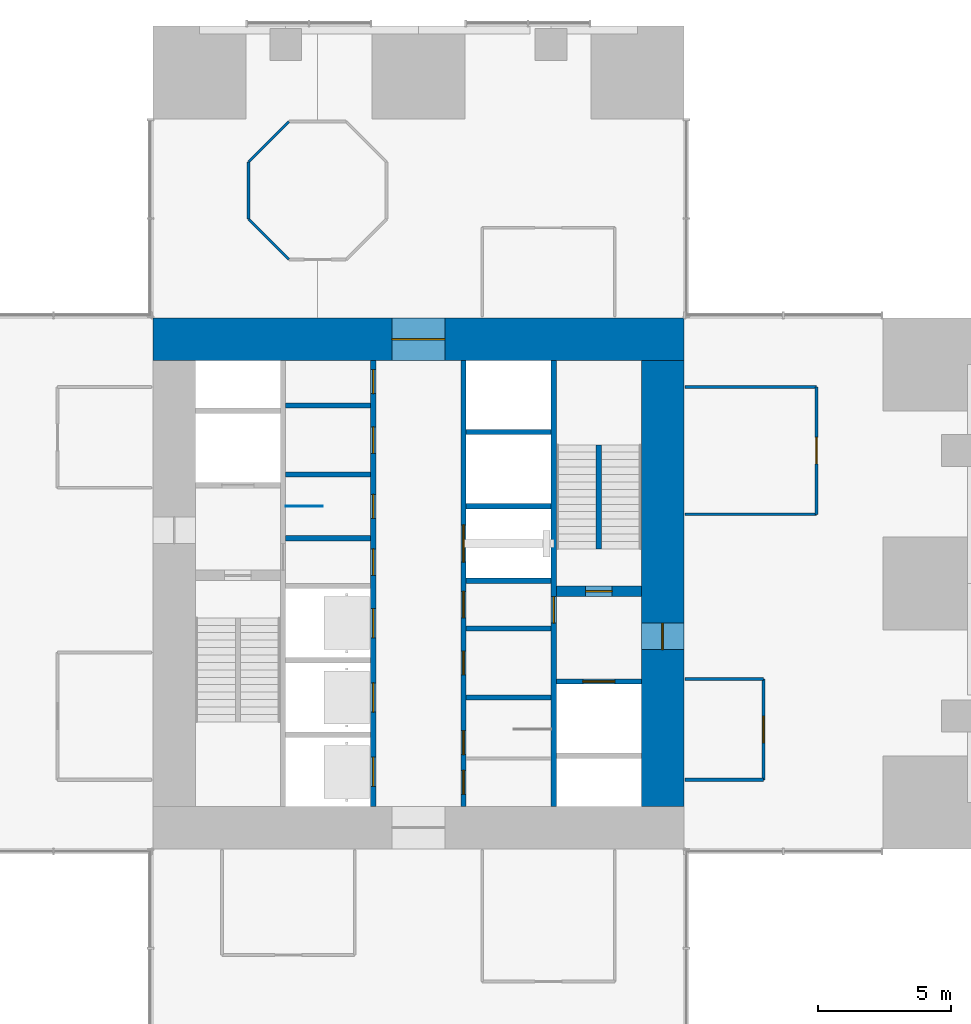
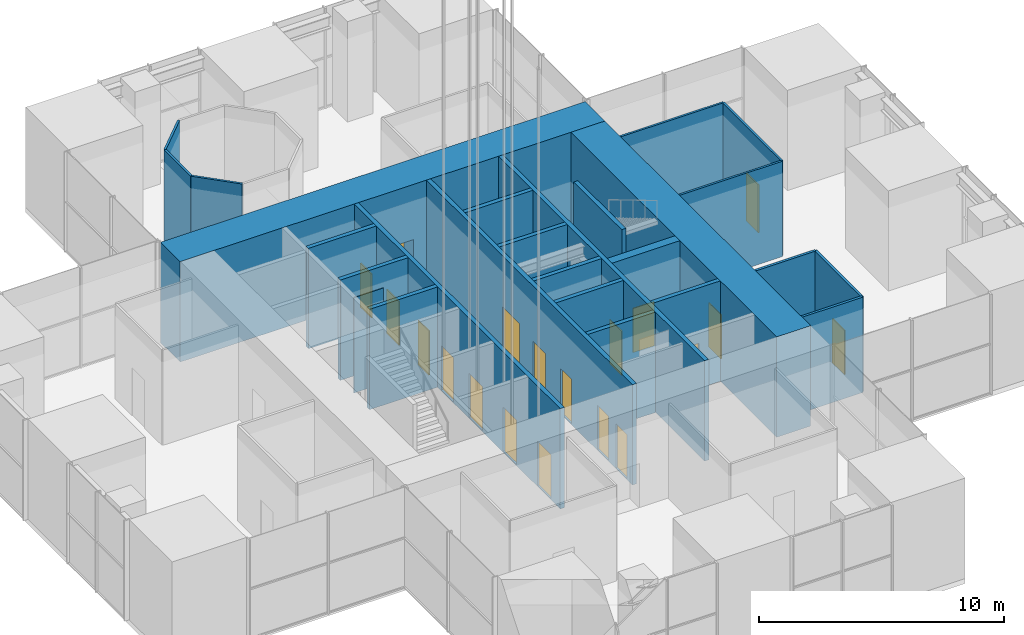
# One storey, part 6 of 16: 26 walls, 19 doors, 19 openings.
"""IFC4 building model written with IfcOpenShell, lengths in metres."""

from ifc_helpers import new_model, si_unit, direction, frame, frame_2d, origin, place, context, subcontext, project, spatial, rectangle, extrude, material, layer, layer_set, type_object, element, fill, save


model = new_model("IFC4")

# Units and contexts
model_context = context("Model", 3, precision=1e-05, world=origin(), true_north=direction((0.0, 1.0)))
body_context = subcontext(model_context, "Body", "Model", "MODEL_VIEW")
ifc_project = project(units=[si_unit("LENGTHUNIT", "METRE"), si_unit("AREAUNIT", "SQUARE_METRE"), si_unit("VOLUMEUNIT", "CUBIC_METRE"), si_unit("PLANEANGLEUNIT", "RADIAN"), si_unit("MASSUNIT", "GRAM", prefix="KILO")], contexts=[model_context])

# Site, building, storey
site_placement = place(None, origin())
site = spatial("IfcSite", under=ifc_project, at=site_placement, CompositionType="ELEMENT")
building_placement = place(site_placement, origin())
building = spatial("IfcBuilding", under=site, at=building_placement, Name="Svetlomir Tower", CompositionType="ELEMENT")
storey_placement = place(building_placement, frame((0.0, 0.0, 91.5)))
storey = spatial("IfcBuildingStorey", under=building, at=storey_placement, Name="L21", CompositionType="ELEMENT", Elevation=91.5)

# Wall, openings, doors
ifc_material_1 = material(Name="Concrete C60/75", Category="concrete")
ifc_layer_1 = layer(ifc_material_1, 0.199951171875)
ifc_layer_set_1 = layer_set([ifc_layer_1], Name="Concrete C60/75")
wall_type_1 = type_object("IfcWallType", Name="CORE INNER WALL 200", PredefinedType="SHEAR", material=ifc_layer_set_1)
wall_1_placement = place(storey_placement, frame((19.300048828125, 12.60009765625, -0.050048828125), z_axis=(0.0, 0.0, 1.0), x_axis=(0.0, 1.0, 0.0)))
wall_1 = element("IfcWall", 1, at=wall_1_placement, inside=storey, type_object=wall_type_1, Name="Core inner wall 19.3 L21", PredefinedType="SHEAR", context=body_context, shape_type="SweptSolid", body=[
    extrude(rectangle(XDim=16.7998046875, YDim=0.199951171875, at=frame_2d((8.39990234375, 0.0))), origin(), (0.0, 0.0, 1.0), 5.0),
])
opening_1_placement = place(wall_1_placement, frame((8.699951171875, 0.0, 0.050048828125)))
opening_1 = element("IfcOpeningElement", 2, at=opening_1_placement, cuts=wall_1, Name="Opening DC", PredefinedType="OPENING", context=body_context, shape_type="SweptSolid", body=[
    extrude(rectangle(XDim=1.0, YDim=2.199951171875, at=frame_2d((0.5, 1.10009765625))), frame((0.0, 0.10986328125, 0.0), z_axis=(0.0, -1.0, 0.0), x_axis=(1.0, 0.0, 0.0)), (0.0, 0.0, 1.0), 0.219970703125),
])
opening_2_placement = place(wall_1_placement, frame((10.85009765625, 0.0, 0.050048828125)))
opening_2 = element("IfcOpeningElement", 3, at=opening_2_placement, cuts=wall_1, Name="Opening DW", PredefinedType="OPENING", context=body_context, shape_type="SweptSolid", body=[
    extrude(rectangle(XDim=0.89990234375, YDim=2.199951171875, at=frame_2d((0.449951171875, 1.10009765625))), frame((0.0, 0.10986328125, 0.0), z_axis=(0.0, -1.0, 0.0), x_axis=(1.0, 0.0, 0.0)), (0.0, 0.0, 1.0), 0.219970703125),
])
opening_3_placement = place(wall_1_placement, frame((13.300048828125, 0.0, 0.050048828125)))
opening_3 = element("IfcOpeningElement", 4, at=opening_3_placement, cuts=wall_1, Name="Opening DC", PredefinedType="OPENING", context=body_context, shape_type="SweptSolid", body=[
    extrude(rectangle(XDim=1.0, YDim=2.199951171875, at=frame_2d((0.5, 1.10009765625))), frame((0.0, 0.10986328125, 0.0), z_axis=(0.0, -1.0, 0.0), x_axis=(1.0, 0.0, 0.0)), (0.0, 0.0, 1.0), 0.219970703125),
])
opening_4_placement = place(wall_1_placement, frame((15.550048828125, 0.0, 0.050048828125)))
opening_4 = element("IfcOpeningElement", 5, at=opening_4_placement, cuts=wall_1, Name="Opening DW", PredefinedType="OPENING", context=body_context, shape_type="SweptSolid", body=[
    extrude(rectangle(XDim=0.89990234375, YDim=2.199951171875, at=frame_2d((0.449951171875, 1.10009765625))), frame((0.0, 0.10986328125, 0.0), z_axis=(0.0, -1.0, 0.0), x_axis=(1.0, 0.0, 0.0)), (0.0, 0.0, 1.0), 0.219970703125),
])
opening_5_placement = place(wall_1_placement, frame((0.75, 0.0, 0.050048828125)))
opening_5 = element("IfcOpeningElement", 6, at=opening_5_placement, cuts=wall_1, Name="Opening LD", PredefinedType="OPENING", context=body_context, shape_type="SweptSolid", body=[
    extrude(rectangle(XDim=1.10009765625, YDim=2.199951171875, at=frame_2d((0.550048828125, 1.10009765625))), frame((0.0, 0.10986328125, 0.0), z_axis=(0.0, -1.0, 0.0), x_axis=(1.0, 0.0, 0.0)), (0.0, 0.0, 1.0), 0.219970703125),
])
opening_6_placement = place(wall_1_placement, frame((3.550048828125, 0.0, 0.050048828125)))
opening_6 = element("IfcOpeningElement", 7, at=opening_6_placement, cuts=wall_1, Name="Opening LD", PredefinedType="OPENING", context=body_context, shape_type="SweptSolid", body=[
    extrude(rectangle(XDim=1.10009765625, YDim=2.199951171875, at=frame_2d((0.550048828125, 1.10009765625))), frame((0.0, 0.10986328125, 0.0), z_axis=(0.0, -1.0, 0.0), x_axis=(1.0, 0.0, 0.0)), (0.0, 0.0, 1.0), 0.219970703125),
])
opening_7_placement = place(wall_1_placement, frame((6.35009765625, 0.0, 0.050048828125)))
opening_7 = element("IfcOpeningElement", 8, at=opening_7_placement, cuts=wall_1, Name="Opening LD", PredefinedType="OPENING", context=body_context, shape_type="SweptSolid", body=[
    extrude(rectangle(XDim=1.10009765625, YDim=2.199951171875, at=frame_2d((0.550048828125, 1.10009765625))), frame((0.0, 0.10986328125, 0.0), z_axis=(0.0, -1.0, 0.0), x_axis=(1.0, 0.0, 0.0)), (0.0, 0.0, 1.0), 0.219970703125),
])
ifc_material_2 = material(Name="Timber fire door", Category="wood")
door_type_1 = type_object("IfcDoorType", Name="DOOR DC 1000x2200", OperationType="SINGLE_SWING_LEFT", PredefinedType="DOOR", material=ifc_material_2)
door_1_placement = place(opening_1_placement, origin())
door_1 = element("IfcDoor", 9, at=door_1_placement, inside=storey, type_object=door_type_1, Name="Core corridor west lobby door L21", OperationType="SINGLE_SWING_RIGHT", OverallHeight=2.199951171875, OverallWidth=1.0, PredefinedType="DOOR", context=body_context, shape_type="SweptSolid", body=[
    extrude(rectangle(XDim=1.0, YDim=2.199951171875, at=frame_2d((0.5, 1.10009765625))), frame((0.0, 0.02490234375, 0.0), z_axis=(0.0, -1.0, 0.0), x_axis=(1.0, 0.0, 0.0)), (0.0, 0.0, 1.0), 0.050048828125),
])
fill(opening_1, door_1)
door_2_placement = place(opening_3_placement, origin())
door_2 = element("IfcDoor", 10, at=door_2_placement, inside=storey, type_object=door_type_1, Name="Accessible WC door L21", OperationType="SINGLE_SWING_LEFT", OverallHeight=2.199951171875, OverallWidth=1.0, PredefinedType="DOOR", context=body_context, shape_type="SweptSolid", body=[
    extrude(rectangle(XDim=1.0, YDim=2.199951171875, at=frame_2d((0.5, 1.10009765625))), frame((0.0, 0.02490234375, 0.0), z_axis=(0.0, -1.0, 0.0), x_axis=(1.0, 0.0, 0.0)), (0.0, 0.0, 1.0), 0.050048828125),
])
fill(opening_3, door_2)
ifc_material_3 = material(Name="Timber fire door", Category="wood")
door_type_2 = type_object("IfcDoorType", Name="DOOR DW 900x2200", OperationType="SINGLE_SWING_LEFT", PredefinedType="DOOR", material=ifc_material_3)
door_3_placement = place(opening_2_placement, origin())
door_3 = element("IfcDoor", 11, at=door_3_placement, inside=storey, type_object=door_type_2, Name="Female WC door L21", OperationType="SINGLE_SWING_RIGHT", OverallHeight=2.199951171875, OverallWidth=0.89990234375, PredefinedType="DOOR", context=body_context, shape_type="SweptSolid", body=[
    extrude(rectangle(XDim=0.89990234375, YDim=2.199951171875, at=frame_2d((0.449951171875, 1.10009765625))), frame((0.0, 0.02490234375, 0.0), z_axis=(0.0, -1.0, 0.0), x_axis=(1.0, 0.0, 0.0)), (0.0, 0.0, 1.0), 0.050048828125),
])
fill(opening_2, door_3)
door_4_placement = place(opening_4_placement, origin())
door_4 = element("IfcDoor", 12, at=door_4_placement, inside=storey, type_object=door_type_2, Name="Tea point door L21", OperationType="SINGLE_SWING_RIGHT", OverallHeight=2.199951171875, OverallWidth=0.89990234375, PredefinedType="DOOR", context=body_context, shape_type="SweptSolid", body=[
    extrude(rectangle(XDim=0.89990234375, YDim=2.199951171875, at=frame_2d((0.449951171875, 1.10009765625))), frame((0.0, 0.02490234375, 0.0), z_axis=(0.0, -1.0, 0.0), x_axis=(1.0, 0.0, 0.0)), (0.0, 0.0, 1.0), 0.050048828125),
])
fill(opening_4, door_4)
ifc_material_4 = material(Name="Stainless steel landing door", Category="steel")
door_type_3 = type_object("IfcDoorType", Name="LIFT LANDING DOOR LD 1100x2200", OperationType="DOUBLE_DOOR_SLIDING", PredefinedType="DOOR", material=ifc_material_4)
door_5_placement = place(opening_5_placement, origin())
door_5 = element("IfcDoor", 13, at=door_5_placement, inside=storey, type_object=door_type_3, Name="Landing door lift LB1 L21", OperationType="DOUBLE_DOOR_SLIDING", OverallHeight=2.199951171875, OverallWidth=1.10009765625, PredefinedType="DOOR", context=body_context, shape_type="SweptSolid", body=[
    extrude(rectangle(XDim=1.10009765625, YDim=2.199951171875, at=frame_2d((0.550048828125, 1.10009765625))), frame((0.0, 0.02490234375, 0.0), z_axis=(0.0, -1.0, 0.0), x_axis=(1.0, 0.0, 0.0)), (0.0, 0.0, 1.0), 0.050048828125),
])
fill(opening_5, door_5)
door_6_placement = place(opening_6_placement, origin())
door_6 = element("IfcDoor", 14, at=door_6_placement, inside=storey, type_object=door_type_3, Name="Landing door lift LB2 L21", OperationType="DOUBLE_DOOR_SLIDING", OverallHeight=2.199951171875, OverallWidth=1.10009765625, PredefinedType="DOOR", context=body_context, shape_type="SweptSolid", body=[
    extrude(rectangle(XDim=1.10009765625, YDim=2.199951171875, at=frame_2d((0.550048828125, 1.10009765625))), frame((0.0, 0.02490234375, 0.0), z_axis=(0.0, -1.0, 0.0), x_axis=(1.0, 0.0, 0.0)), (0.0, 0.0, 1.0), 0.050048828125),
])
fill(opening_6, door_6)
door_7_placement = place(opening_7_placement, origin())
door_7 = element("IfcDoor", 15, at=door_7_placement, inside=storey, type_object=door_type_3, Name="Landing door lift LB3 L21", OperationType="DOUBLE_DOOR_SLIDING", OverallHeight=2.199951171875, OverallWidth=1.10009765625, PredefinedType="DOOR", context=body_context, shape_type="SweptSolid", body=[
    extrude(rectangle(XDim=1.10009765625, YDim=2.199951171875, at=frame_2d((0.550048828125, 1.10009765625))), frame((0.0, 0.02490234375, 0.0), z_axis=(0.0, -1.0, 0.0), x_axis=(1.0, 0.0, 0.0)), (0.0, 0.0, 1.0), 0.050048828125),
])
fill(opening_7, door_7)

wall_2_placement = place(storey_placement, frame((22.699951171875, 12.60009765625, -0.050048828125), z_axis=(0.0, 0.0, 1.0), x_axis=(0.0, 1.0, 0.0)))
wall_2 = element("IfcWall", 16, at=wall_2_placement, inside=storey, type_object=wall_type_1, Name="Core inner wall 22.7 L21", PredefinedType="SHEAR", context=body_context, shape_type="SweptSolid", body=[
    extrude(rectangle(XDim=16.7998046875, YDim=0.199951171875, at=frame_2d((8.39990234375, 0.0))), origin(), (0.0, 0.0, 1.0), 5.0),
])
opening_8_placement = place(wall_2_placement, frame((0.449951171875, 0.0, 0.050048828125)))
opening_8 = element("IfcOpeningElement", 17, at=opening_8_placement, cuts=wall_2, Name="Opening DW", PredefinedType="OPENING", context=body_context, shape_type="SweptSolid", body=[
    extrude(rectangle(XDim=0.89990234375, YDim=2.199951171875, at=frame_2d((0.449951171875, 1.10009765625))), frame((0.0, 0.10986328125, 0.0), z_axis=(0.0, -1.0, 0.0), x_axis=(1.0, 0.0, 0.0)), (0.0, 0.0, 1.0), 0.219970703125),
])
opening_9_placement = place(wall_2_placement, frame((7.10009765625, 0.0, 0.050048828125)))
opening_9 = element("IfcOpeningElement", 18, at=opening_9_placement, cuts=wall_2, Name="Opening DC", PredefinedType="OPENING", context=body_context, shape_type="SweptSolid", body=[
    extrude(rectangle(XDim=1.0, YDim=2.199951171875, at=frame_2d((0.5, 1.10009765625))), frame((0.0, 0.10986328125, 0.0), z_axis=(0.0, -1.0, 0.0), x_axis=(1.0, 0.0, 0.0)), (0.0, 0.0, 1.0), 0.219970703125),
])
opening_10_placement = place(wall_2_placement, frame((1.949951171875, 0.0, 0.050048828125)))
opening_10 = element("IfcOpeningElement", 19, at=opening_10_placement, cuts=wall_2, Name="Opening DW", PredefinedType="OPENING", context=body_context, shape_type="SweptSolid", body=[
    extrude(rectangle(XDim=0.89990234375, YDim=2.199951171875, at=frame_2d((0.449951171875, 1.10009765625))), frame((0.0, 0.10986328125, 0.0), z_axis=(0.0, -1.0, 0.0), x_axis=(1.0, 0.0, 0.0)), (0.0, 0.0, 1.0), 0.219970703125),
])
opening_11_placement = place(wall_2_placement, frame((4.949951171875, 0.0, 0.050048828125)))
opening_11 = element("IfcOpeningElement", 20, at=opening_11_placement, cuts=wall_2, Name="Opening DW", PredefinedType="OPENING", context=body_context, shape_type="SweptSolid", body=[
    extrude(rectangle(XDim=0.89990234375, YDim=2.199951171875, at=frame_2d((0.449951171875, 1.10009765625))), frame((0.0, 0.10986328125, 0.0), z_axis=(0.0, -1.0, 0.0), x_axis=(1.0, 0.0, 0.0)), (0.0, 0.0, 1.0), 0.219970703125),
])
opening_12_placement = place(wall_2_placement, frame((9.199951171875, 0.0, 0.050048828125)))
opening_12 = element("IfcOpeningElement", 21, at=opening_12_placement, cuts=wall_2, Name="Opening LD2", PredefinedType="OPENING", context=body_context, shape_type="SweptSolid", body=[
    extrude(rectangle(XDim=1.39990234375, YDim=2.39990234375, at=frame_2d((0.699951171875, 1.199951171875))), frame((0.0, 0.10986328125, 0.0), z_axis=(0.0, -1.0, 0.0), x_axis=(1.0, 0.0, 0.0)), (0.0, 0.0, 1.0), 0.219970703125),
])
door_8_placement = place(opening_9_placement, origin())
door_8 = element("IfcDoor", 22, at=door_8_placement, inside=storey, type_object=door_type_1, Name="Core corridor east lobby door L21", OperationType="SINGLE_SWING_LEFT", OverallHeight=2.199951171875, OverallWidth=1.0, PredefinedType="DOOR", context=body_context, shape_type="SweptSolid", body=[
    extrude(rectangle(XDim=1.0, YDim=2.199951171875, at=frame_2d((0.5, 1.10009765625))), frame((0.0, 0.02490234375, 0.0), z_axis=(0.0, -1.0, 0.0), x_axis=(1.0, 0.0, 0.0)), (0.0, 0.0, 1.0), 0.050048828125),
])
fill(opening_9, door_8)
door_9_placement = place(opening_8_placement, origin())
door_9 = element("IfcDoor", 23, at=door_9_placement, inside=storey, type_object=door_type_2, Name="Floor store door L21", OperationType="SINGLE_SWING_LEFT", OverallHeight=2.199951171875, OverallWidth=0.89990234375, PredefinedType="DOOR", context=body_context, shape_type="SweptSolid", body=[
    extrude(rectangle(XDim=0.89990234375, YDim=2.199951171875, at=frame_2d((0.449951171875, 1.10009765625))), frame((0.0, 0.02490234375, 0.0), z_axis=(0.0, -1.0, 0.0), x_axis=(1.0, 0.0, 0.0)), (0.0, 0.0, 1.0), 0.050048828125),
])
fill(opening_8, door_9)
door_10_placement = place(opening_10_placement, origin())
door_10 = element("IfcDoor", 24, at=door_10_placement, inside=storey, type_object=door_type_2, Name="Male WC door L21", OperationType="SINGLE_SWING_LEFT", OverallHeight=2.199951171875, OverallWidth=0.89990234375, PredefinedType="DOOR", context=body_context, shape_type="SweptSolid", body=[
    extrude(rectangle(XDim=0.89990234375, YDim=2.199951171875, at=frame_2d((0.449951171875, 1.10009765625))), frame((0.0, 0.02490234375, 0.0), z_axis=(0.0, -1.0, 0.0), x_axis=(1.0, 0.0, 0.0)), (0.0, 0.0, 1.0), 0.050048828125),
])
fill(opening_10, door_10)
door_11_placement = place(opening_11_placement, origin())
door_11 = element("IfcDoor", 25, at=door_11_placement, inside=storey, type_object=door_type_2, Name="Comms room door L21", OperationType="SINGLE_SWING_RIGHT", OverallHeight=2.199951171875, OverallWidth=0.89990234375, PredefinedType="DOOR", context=body_context, shape_type="SweptSolid", body=[
    extrude(rectangle(XDim=0.89990234375, YDim=2.199951171875, at=frame_2d((0.449951171875, 1.10009765625))), frame((0.0, 0.02490234375, 0.0), z_axis=(0.0, -1.0, 0.0), x_axis=(1.0, 0.0, 0.0)), (0.0, 0.0, 1.0), 0.050048828125),
])
fill(opening_11, door_11)
ifc_material_5 = material(Name="Stainless steel landing door", Category="steel")
door_type_4 = type_object("IfcDoorType", Name="LIFT LANDING DOOR LD2 1400x2400", OperationType="DOUBLE_DOOR_SLIDING", PredefinedType="DOOR", material=ifc_material_5)
door_12_placement = place(opening_12_placement, origin())
door_12 = element("IfcDoor", 26, at=door_12_placement, inside=storey, type_object=door_type_4, Name="Landing door lift SH1 L21", OperationType="DOUBLE_DOOR_SLIDING", OverallHeight=2.39990234375, OverallWidth=1.39990234375, PredefinedType="DOOR", context=body_context, shape_type="SweptSolid", body=[
    extrude(rectangle(XDim=1.39990234375, YDim=2.39990234375, at=frame_2d((0.699951171875, 1.199951171875))), frame((0.0, 0.02490234375, 0.0), z_axis=(0.0, -1.0, 0.0), x_axis=(1.0, 0.0, 0.0)), (0.0, 0.0, 1.0), 0.050048828125),
])
fill(opening_12, door_12)

# Wall, opening, door
wall_3_placement = place(storey_placement, frame((26.10009765625, 12.60009765625, -0.050048828125), z_axis=(0.0, 0.0, 1.0), x_axis=(0.0, 1.0, 0.0)))
wall_3 = element("IfcWall", 27, at=wall_3_placement, inside=storey, type_object=wall_type_1, Name="Core inner wall 26.1 L21", PredefinedType="SHEAR", context=body_context, shape_type="SweptSolid", body=[
    extrude(rectangle(XDim=16.7998046875, YDim=0.199951171875, at=frame_2d((8.39990234375, 0.0))), origin(), (0.0, 0.0, 1.0), 5.0),
])
opening_13_placement = place(wall_3_placement, frame((6.89990234375, 0.0, 0.050048828125)))
opening_13 = element("IfcOpeningElement", 28, at=opening_13_placement, cuts=wall_3, Name="Opening DF", PredefinedType="OPENING", context=body_context, shape_type="SweptSolid", body=[
    extrude(rectangle(XDim=1.0, YDim=2.199951171875, at=frame_2d((0.5, 1.10009765625))), frame((0.0, 0.10986328125, 0.0), z_axis=(0.0, -1.0, 0.0), x_axis=(1.0, 0.0, 0.0)), (0.0, 0.0, 1.0), 0.219970703125),
])
ifc_material_6 = material(Name="Steel fire door", Category="steel")
door_type_5 = type_object("IfcDoorType", Name="DOOR DF 1000x2200", OperationType="SINGLE_SWING_LEFT", PredefinedType="DOOR", material=ifc_material_6)
door_13_placement = place(opening_13_placement, origin())
door_13 = element("IfcDoor", 29, at=door_13_placement, inside=storey, type_object=door_type_5, Name="Core corridor east door L21", OperationType="SINGLE_SWING_LEFT", OverallHeight=2.199951171875, OverallWidth=1.0, PredefinedType="DOOR", context=body_context, shape_type="SweptSolid", body=[
    extrude(rectangle(XDim=1.0, YDim=2.199951171875, at=frame_2d((0.5, 1.10009765625))), frame((0.0, 0.02490234375, 0.0), z_axis=(0.0, -1.0, 0.0), x_axis=(1.0, 0.0, 0.0)), (0.0, 0.0, 1.0), 0.050048828125),
])
fill(opening_13, door_13)

# Walls
for number, where, z_axis, x_axis, name in (
    (30, (16.0, 22.699951171875, -0.050048828125), (0.0, 0.0, 1.0), (1.0, 0.0, 0.0), "Core inner wall 16-19.2/22.7 L21"),
    (31, (16.0, 25.10009765625, -0.050048828125), (0.0, 0.0, 1.0), (1.0, 0.0, 0.0), "Core inner wall 16-19.2/25.1 L21"),
    (32, (16.0, 27.699951171875, -0.050048828125), (0.0, 0.0, 1.0), (1.0, 0.0, 0.0), "Core inner wall 16-19.2/27.7 L21"),
    (33, (22.800048828125, 16.699951171875, -0.050048828125), (0.0, 0.0, 1.0), (1.0, 0.0, 0.0), "Core inner wall 22.8-26/16.7 L21"),
    (34, (22.800048828125, 19.300048828125, -0.050048828125), (0.0, 0.0, 1.0), (1.0, 0.0, 0.0), "Core inner wall 22.8-26/19.3 L21"),
    (35, (22.800048828125, 21.10009765625, -0.050048828125), (0.0, 0.0, 1.0), (1.0, 0.0, 0.0), "Core inner wall 22.8-26/21.1 L21"),
    (36, (22.800048828125, 23.89990234375, -0.050048828125), (0.0, 0.0, 1.0), (1.0, 0.0, 0.0), "Core inner wall 22.8-26/23.9 L21"),
    (37, (22.800048828125, 26.699951171875, -0.050048828125), (0.0, 0.0, 1.0), (1.0, 0.0, 0.0), "Core inner wall 22.8-26/26.7 L21"),
):
    element("IfcWall", number, at=place(storey_placement, frame(where, z_axis=z_axis, x_axis=x_axis)), inside=storey, type_object=wall_type_1, Name=name, PredefinedType="SHEAR", context=body_context, shape_type="SweptSolid", body=[
        extrude(rectangle(XDim=3.199951171875, YDim=0.199951171875, at=frame_2d((1.60009765625, 0.0))), origin(), (0.0, 0.0, 1.0), 5.0),
    ])

# Wall, opening, door
wall_4_placement = place(storey_placement, frame((26.199951171875, 17.300048828125, -0.050048828125), z_axis=(0.0, 0.0, 1.0), x_axis=(1.0, 0.0, 0.0)))
wall_4 = element("IfcWall", 38, at=wall_4_placement, inside=storey, type_object=wall_type_1, Name="Core inner wall 26.2-29.4/17.3 L21", PredefinedType="SHEAR", context=body_context, shape_type="SweptSolid", body=[
    extrude(rectangle(XDim=3.199951171875, YDim=0.199951171875, at=frame_2d((1.60009765625, 0.0))), origin(), (0.0, 0.0, 1.0), 5.0),
])
opening_14_placement = place(wall_4_placement, frame((1.0, 0.0, 0.050048828125)))
opening_14 = element("IfcOpeningElement", 39, at=opening_14_placement, cuts=wall_4, Name="Opening LD3", PredefinedType="OPENING", context=body_context, shape_type="SweptSolid", body=[
    extrude(rectangle(XDim=1.199951171875, YDim=2.199951171875, at=frame_2d((0.60009765625, 1.10009765625))), frame((0.0, 0.10986328125, 0.0), z_axis=(0.0, -1.0, 0.0), x_axis=(1.0, 0.0, 0.0)), (0.0, 0.0, 1.0), 0.219970703125),
])
ifc_material_7 = material(Name="Stainless steel fire-rated landing door", Category="steel")
door_type_6 = type_object("IfcDoorType", Name="FIREFIGHTING LIFT LANDING DOOR LD3 1200x2200", OperationType="DOUBLE_DOOR_SLIDING", PredefinedType="DOOR", material=ifc_material_7)
door_14_placement = place(opening_14_placement, origin())
door_14 = element("IfcDoor", 40, at=door_14_placement, inside=storey, type_object=door_type_6, Name="Landing door lift FL2 L21", OperationType="DOUBLE_DOOR_SLIDING", OverallHeight=2.199951171875, OverallWidth=1.199951171875, PredefinedType="DOOR", context=body_context, shape_type="SweptSolid", body=[
    extrude(rectangle(XDim=1.199951171875, YDim=2.199951171875, at=frame_2d((0.60009765625, 1.10009765625))), frame((0.0, 0.02490234375, 0.0), z_axis=(0.0, -1.0, 0.0), x_axis=(1.0, 0.0, 0.0)), (0.0, 0.0, 1.0), 0.050048828125),
])
fill(opening_14, door_14)

ifc_material_8 = material(Name="Concrete C60/75", Category="concrete")
ifc_layer_2 = layer(ifc_material_8, 0.39990234375)
ifc_layer_set_2 = layer_set([ifc_layer_2], Name="Concrete C60/75")
wall_type_2 = type_object("IfcWallType", Name="CORE OUTRIGGER WALL 400", PredefinedType="SHEAR", material=ifc_layer_set_2)
wall_5_placement = place(storey_placement, frame((26.199951171875, 20.699951171875, -0.050048828125), z_axis=(0.0, 0.0, 1.0), x_axis=(1.0, 0.0, 0.0)))
wall_5 = element("IfcWall", 41, at=wall_5_placement, inside=storey, type_object=wall_type_2, Name="Core outrigger wall 26.2-29.4/20.7 L21", PredefinedType="SHEAR", context=body_context, shape_type="SweptSolid", body=[
    extrude(rectangle(XDim=3.199951171875, YDim=0.39990234375, at=frame_2d((1.60009765625, 0.0))), origin(), (0.0, 0.0, 1.0), 5.0),
])
opening_15_placement = place(wall_5_placement, frame((1.10009765625, 0.0, 0.050048828125)))
opening_15 = element("IfcOpeningElement", 42, at=opening_15_placement, cuts=wall_5, Name="Opening DF", PredefinedType="OPENING", context=body_context, shape_type="SweptSolid", body=[
    extrude(rectangle(XDim=1.0, YDim=2.199951171875, at=frame_2d((0.5, 1.10009765625))), frame((0.0, 0.2099609375, 0.0), z_axis=(0.0, -1.0, 0.0), x_axis=(1.0, 0.0, 0.0)), (0.0, 0.0, 1.0), 0.419921875),
])
door_15_placement = place(opening_15_placement, origin())
door_15 = element("IfcDoor", 43, at=door_15_placement, inside=storey, type_object=door_type_5, Name="Stair S2 door L21", OperationType="SINGLE_SWING_LEFT", OverallHeight=2.199951171875, OverallWidth=1.0, PredefinedType="DOOR", context=body_context, shape_type="SweptSolid", body=[
    extrude(rectangle(XDim=1.0, YDim=2.199951171875, at=frame_2d((0.5, 1.10009765625))), frame((0.0, 0.02490234375, 0.0), z_axis=(0.0, -1.0, 0.0), x_axis=(1.0, 0.0, 0.0)), (0.0, 0.0, 1.0), 0.050048828125),
])
fill(opening_15, door_15)

ifc_material_9 = material(Name="Concrete C60/75", Category="concrete")
ifc_layer_3 = layer(ifc_material_9, 1.60009765625)
ifc_layer_set_3 = layer_set([ifc_layer_3], Name="Concrete C60/75")
wall_type_3 = type_object("IfcWallType", Name="CORE WALL 1600", PredefinedType="SHEAR", material=ifc_layer_set_3)
wall_6_placement = place(storey_placement, frame((11.0, 30.199951171875, -0.050048828125), z_axis=(0.0, 0.0, 1.0), x_axis=(1.0, 0.0, 0.0)))
wall_6 = element("IfcWall", 44, at=wall_6_placement, inside=storey, type_object=wall_type_3, Name="Core wall north L21", PredefinedType="SHEAR", context=body_context, shape_type="SweptSolid", body=[
    extrude(rectangle(XDim=20.0, YDim=1.60009765625, at=frame_2d((10.0, 0.0))), origin(), (0.0, 0.0, 1.0), 5.0),
])
opening_16_placement = place(wall_6_placement, frame((9.0, 0.0, 0.050048828125)))
opening_16 = element("IfcOpeningElement", 45, at=opening_16_placement, cuts=wall_6, Name="Opening DL", PredefinedType="OPENING", context=body_context, shape_type="SweptSolid", body=[
    extrude(rectangle(XDim=2.0, YDim=2.199951171875, at=frame_2d((1.0, 1.10009765625))), frame((0.0, 0.81005859375, 0.0), z_axis=(0.0, -1.0, 0.0), x_axis=(1.0, 0.0, 0.0)), (0.0, 0.0, 1.0), 1.6201171875),
])
ifc_material_10 = material(Name="Steel fire door", Category="steel")
door_type_7 = type_object("IfcDoorType", Name="DOOR DL 2000x2200", OperationType="DOUBLE_DOOR_SINGLE_SWING", PredefinedType="DOOR", material=ifc_material_10)
door_16_placement = place(opening_16_placement, origin())
door_16 = element("IfcDoor", 46, at=door_16_placement, inside=storey, type_object=door_type_7, Name="Lift lobby north door L21", OperationType="DOUBLE_DOOR_SINGLE_SWING", OverallHeight=2.199951171875, OverallWidth=2.0, PredefinedType="DOOR", context=body_context, shape_type="SweptSolid", body=[
    extrude(rectangle(XDim=2.0, YDim=2.199951171875, at=frame_2d((1.0, 1.10009765625))), frame((0.0, 0.02490234375, 0.0), z_axis=(0.0, -1.0, 0.0), x_axis=(1.0, 0.0, 0.0)), (0.0, 0.0, 1.0), 0.050048828125),
])
fill(opening_16, door_16)

wall_7_placement = place(storey_placement, frame((30.199951171875, 12.60009765625, -0.050048828125), z_axis=(0.0, 0.0, 1.0), x_axis=(0.0, 1.0, 0.0)))
wall_7 = element("IfcWall", 47, at=wall_7_placement, inside=storey, type_object=wall_type_3, Name="Core wall east L21", PredefinedType="SHEAR", context=body_context, shape_type="SweptSolid", body=[
    extrude(rectangle(XDim=16.7998046875, YDim=1.60009765625, at=frame_2d((8.39990234375, 0.0))), origin(), (0.0, 0.0, 1.0), 5.0),
])
opening_17_placement = place(wall_7_placement, frame((5.89990234375, 0.0, 0.050048828125)))
opening_17 = element("IfcOpeningElement", 48, at=opening_17_placement, cuts=wall_7, Name="Opening DF", PredefinedType="OPENING", context=body_context, shape_type="SweptSolid", body=[
    extrude(rectangle(XDim=1.0, YDim=2.199951171875, at=frame_2d((0.5, 1.10009765625))), frame((0.0, 0.81005859375, 0.0), z_axis=(0.0, -1.0, 0.0), x_axis=(1.0, 0.0, 0.0)), (0.0, 0.0, 1.0), 1.6201171875),
])
door_17_placement = place(opening_17_placement, origin())
door_17 = element("IfcDoor", 49, at=door_17_placement, inside=storey, type_object=door_type_5, Name="Firefighting lobby east door L21", OperationType="SINGLE_SWING_RIGHT", OverallHeight=2.199951171875, OverallWidth=1.0, PredefinedType="DOOR", context=body_context, shape_type="SweptSolid", body=[
    extrude(rectangle(XDim=1.0, YDim=2.199951171875, at=frame_2d((0.5, 1.10009765625))), frame((0.0, 0.02490234375, 0.0), z_axis=(0.0, -1.0, 0.0), x_axis=(1.0, 0.0, 0.0)), (0.0, 0.0, 1.0), 0.050048828125),
])
fill(opening_17, door_17)

# Walls
ifc_material_11 = material(Name="Framed laminated glass partition", Category="glass")
ifc_layer_4 = layer(ifc_material_11, 0.10009765625)
ifc_layer_set_4 = layer_set([ifc_layer_4], Name="Framed laminated glass partition")
wall_type_4 = type_object("IfcWallType", Name="GLAZED PARTITION 100", PredefinedType="PARTITIONING", material=ifc_layer_set_4)
wall_8_placement = place(storey_placement, frame((14.60009765625, 34.722900390625, 0.0), z_axis=(0.0, 0.0, 1.0), x_axis=(0.0, 1.0, 0.0)))
element("IfcWall", 50, at=wall_8_placement, inside=storey, type_object=wall_type_4, Name="Glazed partition L21", PredefinedType="PARTITIONING", context=body_context, shape_type="SweptSolid", body=[
    extrude(rectangle(XDim=2.154052734375, YDim=0.10009765625, at=frame_2d((1.0771484375, 0.0))), origin(), (0.0, 0.0, 1.0), 4.75),
])
for number, where, z_axis, x_axis, name in (
    (51, (14.60009765625, 34.722900390625, 0.0), (0.0, 0.0, 1.0), (0.707106781187, -0.707106781187, 0.0), "Glazed partition L21"),
    (52, (14.60009765625, 36.876953125, 0.0), (0.0, 0.0, 1.0), (0.707106781187, 0.707106781187, 0.0), "Glazed partition L21"),
):
    element("IfcWall", number, at=place(storey_placement, frame(where, z_axis=z_axis, x_axis=x_axis)), inside=storey, type_object=wall_type_4, Name=name, PredefinedType="PARTITIONING", context=body_context, shape_type="SweptSolid", body=[
        extrude(rectangle(XDim=2.15380859375, YDim=0.10009765625, at=frame_2d((1.076904296875, 0.0))), origin(), (0.0, 0.0, 1.0), 4.75),
    ])
for number, where, z_axis, x_axis, name in (
    (53, (31.050048828125, 23.60009765625, 0.0), (0.0, 0.0, 1.0), (1.0, 0.0, 0.0), "Glazed partition L21"),
    (54, (31.050048828125, 28.39990234375, 0.0), (0.0, 0.0, 1.0), (1.0, 0.0, 0.0), "Glazed partition L21"),
):
    element("IfcWall", number, at=place(storey_placement, frame(where, z_axis=z_axis, x_axis=x_axis)), inside=storey, type_object=wall_type_4, Name=name, PredefinedType="PARTITIONING", context=body_context, shape_type="SweptSolid", body=[
        extrude(rectangle(XDim=4.949951171875, YDim=0.10009765625, at=frame_2d((2.47509765625, 0.0))), origin(), (0.0, 0.0, 1.0), 4.75),
    ])

# Wall, opening, door
wall_9_placement = place(storey_placement, frame((36.0, 23.60009765625, 0.0), z_axis=(0.0, 0.0, 1.0), x_axis=(0.0, 1.0, 0.0)))
wall_9 = element("IfcWall", 55, at=wall_9_placement, inside=storey, type_object=wall_type_4, Name="Glazed partition L21", PredefinedType="PARTITIONING", context=body_context, shape_type="SweptSolid", body=[
    extrude(rectangle(XDim=4.7998046875, YDim=0.10009765625, at=frame_2d((2.39990234375, 0.0))), origin(), (0.0, 0.0, 1.0), 4.75),
])
opening_18_placement = place(wall_9_placement, frame((1.89990234375, 0.0, 0.0)))
opening_18 = element("IfcOpeningElement", 56, at=opening_18_placement, cuts=wall_9, Name="Opening DG", PredefinedType="OPENING", context=body_context, shape_type="SweptSolid", body=[
    extrude(rectangle(XDim=1.0, YDim=2.39990234375, at=frame_2d((0.5, 1.199951171875))), frame((0.0, 0.06005859375, 0.0), z_axis=(0.0, -1.0, 0.0), x_axis=(1.0, 0.0, 0.0)), (0.0, 0.0, 1.0), 0.1201171875),
])
ifc_material_12 = material(Name="Framed laminated glass door", Category="glass")
door_type_8 = type_object("IfcDoorType", Name="GLAZED DOOR DG 1000x2400", OperationType="SINGLE_SWING_LEFT", PredefinedType="DOOR", material=ifc_material_12)
door_18_placement = place(opening_18_placement, origin())
door_18 = element("IfcDoor", 57, at=door_18_placement, inside=storey, type_object=door_type_8, Name="Sky cafe servery door L21", OperationType="SINGLE_SWING_RIGHT", OverallHeight=2.39990234375, OverallWidth=1.0, PredefinedType="DOOR", context=body_context, shape_type="SweptSolid", body=[
    extrude(rectangle(XDim=1.0, YDim=2.39990234375, at=frame_2d((0.5, 1.199951171875))), frame((0.0, 0.02490234375, 0.0), z_axis=(0.0, -1.0, 0.0), x_axis=(1.0, 0.0, 0.0)), (0.0, 0.0, 1.0), 0.050048828125),
])
fill(opening_18, door_18)

# Walls
ifc_material_13 = material(Name="Gypsum board on steel studs", Category="steel")
ifc_layer_5 = layer(ifc_material_13, 0.1201171875)
ifc_layer_set_5 = layer_set([ifc_layer_5], Name="Gypsum board on steel studs")
wall_type_5 = type_object("IfcWallType", Name="PARTITION 120", PredefinedType="PARTITIONING", material=ifc_layer_set_5)
for number, where, z_axis, x_axis, name in (
    (58, (31.050048828125, 13.60009765625, 0.0), (0.0, 0.0, 1.0), (1.0, 0.0, 0.0), "Partition L21"),
    (59, (31.050048828125, 17.39990234375, 0.0), (0.0, 0.0, 1.0), (1.0, 0.0, 0.0), "Partition L21"),
):
    element("IfcWall", number, at=place(storey_placement, frame(where, z_axis=z_axis, x_axis=x_axis)), inside=storey, type_object=wall_type_5, Name=name, PredefinedType="PARTITIONING", context=body_context, shape_type="SweptSolid", body=[
        extrude(rectangle(XDim=2.949951171875, YDim=0.1201171875, at=frame_2d((1.47509765625, 0.0))), origin(), (0.0, 0.0, 1.0), 4.75),
    ])

# Wall, opening, door
wall_10_placement = place(storey_placement, frame((34.0, 13.60009765625, 0.0), z_axis=(0.0, 0.0, 1.0), x_axis=(0.0, 1.0, 0.0)))
wall_10 = element("IfcWall", 60, at=wall_10_placement, inside=storey, type_object=wall_type_5, Name="Partition L21", PredefinedType="PARTITIONING", context=body_context, shape_type="SweptSolid", body=[
    extrude(rectangle(XDim=3.7998046875, YDim=0.1201171875, at=frame_2d((1.89990234375, 0.0))), origin(), (0.0, 0.0, 1.0), 4.75),
])
opening_19_placement = place(wall_10_placement, frame((1.39990234375, 0.0, 0.0)))
opening_19 = element("IfcOpeningElement", 61, at=opening_19_placement, cuts=wall_10, Name="Opening DR", PredefinedType="OPENING", context=body_context, shape_type="SweptSolid", body=[
    extrude(rectangle(XDim=1.0, YDim=2.199951171875, at=frame_2d((0.5, 1.10009765625))), frame((0.0, 0.070068359375, 0.0), z_axis=(0.0, -1.0, 0.0), x_axis=(1.0, 0.0, 0.0)), (0.0, 0.0, 1.0), 0.14013671875),
])
ifc_material_14 = material(Name="Timber door, glazed side light", Category="wood")
door_type_9 = type_object("IfcDoorType", Name="DOOR DR 1000x2200", OperationType="SINGLE_SWING_LEFT", PredefinedType="DOOR", material=ifc_material_14)
door_19_placement = place(opening_19_placement, origin())
door_19 = element("IfcDoor", 62, at=door_19_placement, inside=storey, type_object=door_type_9, Name="Cloakroom door L21", OperationType="SINGLE_SWING_LEFT", OverallHeight=2.199951171875, OverallWidth=1.0, PredefinedType="DOOR", context=body_context, shape_type="SweptSolid", body=[
    extrude(rectangle(XDim=1.0, YDim=2.199951171875, at=frame_2d((0.5, 1.10009765625))), frame((0.0, 0.02490234375, 0.0), z_axis=(0.0, -1.0, 0.0), x_axis=(1.0, 0.0, 0.0)), (0.0, 0.0, 1.0), 0.050048828125),
])
fill(opening_19, door_19)

# Walls
ifc_material_15 = material(Name="Concrete C60/75", Category="concrete")
ifc_layer_6 = layer(ifc_material_15, 0.199951171875)
ifc_layer_set_6 = layer_set([ifc_layer_6], Name="Concrete C60/75")
wall_type_6 = type_object("IfcWallType", Name="STAIR SPINE WALL 200", PredefinedType="PARTITIONING", material=ifc_layer_set_6)
wall_11_placement = place(storey_placement, frame((27.800048828125, 22.300048828125, 0.0), z_axis=(0.0, 0.0, 1.0), x_axis=(0.0, 1.0, 0.0)))
element("IfcWall", 63, at=wall_11_placement, inside=storey, type_object=wall_type_6, Name="Stair S2 spine wall L21", PredefinedType="PARTITIONING", context=body_context, shape_type="SweptSolid", body=[
    extrude(rectangle(XDim=3.919921875, YDim=0.199951171875, at=frame_2d((1.9599609375, 0.0))), origin(), (0.0, 0.0, 1.0), 5.0),
])
ifc_material_16 = material(Name="Compact laminate panel", Category="plastic")
ifc_layer_7 = layer(ifc_material_16, 0.030029296875)
ifc_layer_set_7 = layer_set([ifc_layer_7], Name="Compact laminate panel")
wall_type_7 = type_object("IfcWallType", Name="WC CUBICLE PARTITION 30", PredefinedType="PARTITIONING", material=ifc_layer_set_7)
wall_12_placement = place(storey_placement, frame((16.0, 23.89990234375, 0.0), z_axis=(0.0, 0.0, 1.0), x_axis=(1.0, 0.0, 0.0)))
element("IfcWall", 64, at=wall_12_placement, inside=storey, type_object=wall_type_7, Name="WC cubicle partition L21", PredefinedType="PARTITIONING", context=body_context, shape_type="SweptSolid", body=[
    extrude(rectangle(XDim=1.39990234375, YDim=0.030029296875, at=frame_2d((0.699951171875, 0.0))), origin(), (0.0, 0.0, 1.0), 4.75),
])

save(model, "model.ifc")
